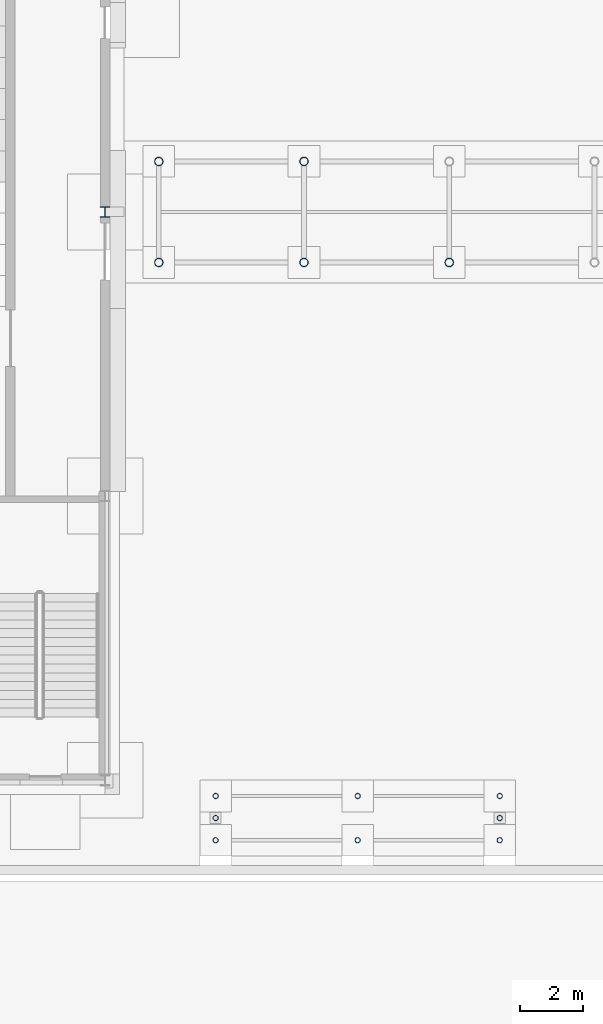
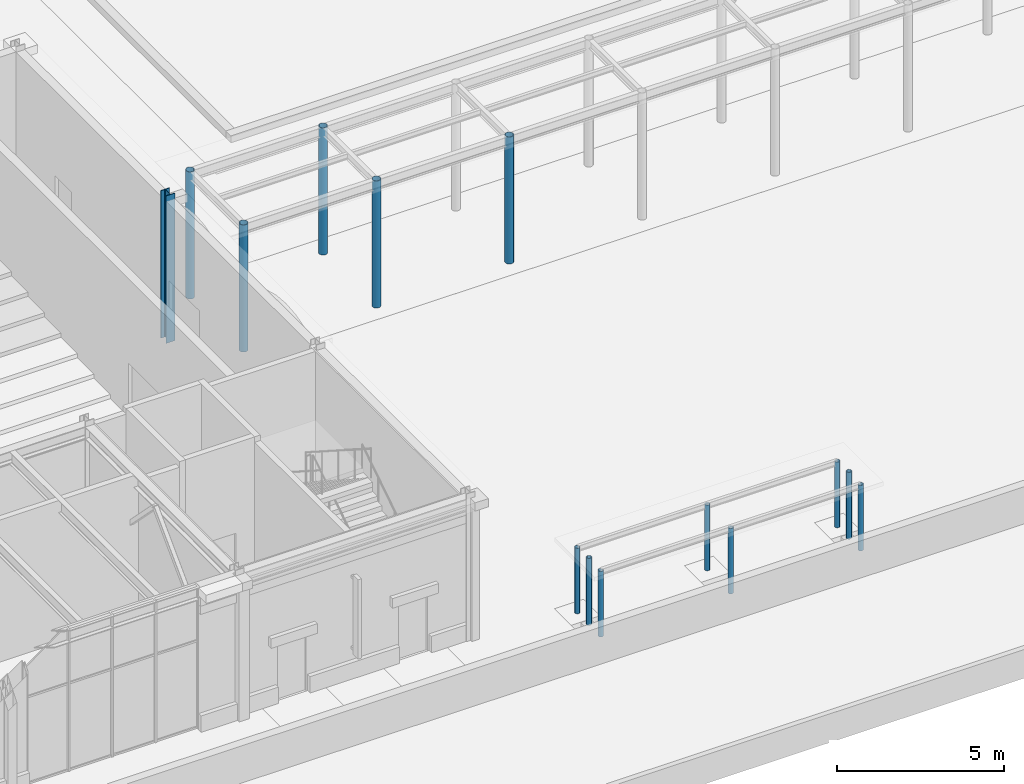
# One storey, part 5 of 126: 14 columns.
"""IFC4 building model written with IfcOpenShell, lengths in metres."""

from ifc_helpers import new_model, si_unit, direction, frame, origin, origin_2d, place, context, subcontext, project, spatial, hollow_circle, i_section, extrude, material, material_profile, profile_set, type_object, element, save


model = new_model("IFC4")

# Units and contexts
model_context = context("Model", 3, precision=1e-05, world=origin(), true_north=direction((0.0, 1.0)))
body_context = subcontext(model_context, "Body", "Model", "MODEL_VIEW")
ifc_project = project(units=[si_unit("LENGTHUNIT", "METRE"), si_unit("AREAUNIT", "SQUARE_METRE"), si_unit("VOLUMEUNIT", "CUBIC_METRE"), si_unit("PLANEANGLEUNIT", "RADIAN"), si_unit("MASSUNIT", "GRAM", prefix="KILO")], contexts=[model_context])

# Site, building, storey
site_placement = place(None, origin())
site = spatial("IfcSite", under=ifc_project, at=site_placement, CompositionType="ELEMENT")
building_placement = place(site_placement, origin())
building = spatial("IfcBuilding", under=site, at=building_placement, Name="Kallimachos Central Library", CompositionType="ELEMENT")
storey_placement = place(building_placement, origin())
storey = spatial("IfcBuildingStorey", under=building, at=storey_placement, Name="L00", CompositionType="ELEMENT", Elevation=0.0)

# Columns
ifc_material_1 = material(Name="Steel S355J2H", Category="steel")
ifc_material_profile_1 = material_profile(ifc_material_1, hollow_circle(Radius=0.084228515625, WallThickness=0.008056640625, at=origin_2d()), Name="CHS 168.3x8")
ifc_profile_set_1 = profile_set([ifc_material_profile_1], Name="Steel S355J2H")
column_type_1 = type_object("IfcColumnType", Name="CHS 168.3x8 column", PredefinedType="COLUMN", material=ifc_profile_set_1)
for number, where, z_axis, x_axis, name in (
    (1, (33.5, 7.10009765625, 0.0), (0.0, 0.0, 1.0), (1.0, 0.0, 0.0), "Cycle shelter column"),
    (2, (38.0, 7.10009765625, 0.0), (0.0, 0.0, 1.0), (1.0, 0.0, 0.0), "Cycle shelter column"),
    (3, (42.5, 7.10009765625, 0.0), (0.0, 0.0, 1.0), (1.0, 0.0, 0.0), "Cycle shelter column"),
    (4, (33.5, 8.5, 0.0), (0.0, 0.0, 1.0), (1.0, 0.0, 0.0), "Cycle shelter column"),
    (5, (38.0, 8.5, 0.0), (0.0, 0.0, 1.0), (1.0, 0.0, 0.0), "Cycle shelter column"),
    (6, (42.5, 8.5, 0.0), (0.0, 0.0, 1.0), (1.0, 0.0, 0.0), "Cycle shelter column"),
):
    element("IfcColumn", number, at=place(storey_placement, frame(where, z_axis=z_axis, x_axis=x_axis)), inside=storey, type_object=column_type_1, Name=name, PredefinedType="COLUMN", context=body_context, shape_type="SweptSolid", body=[
        extrude(hollow_circle(Radius=0.084228515625, WallThickness=0.008056640625, at=origin_2d()), origin(), (0.0, 0.0, 1.0), 2.39990234375),
    ])
for number, where, z_axis, x_axis, name in (
    (7, (33.5, 7.800048828125, 0.0), (0.0, 0.0, 1.0), (1.0, 0.0, 0.0), "Cycle shelter ridge post"),
    (8, (42.5, 7.800048828125, 0.0), (0.0, 0.0, 1.0), (1.0, 0.0, 0.0), "Cycle shelter ridge post"),
):
    element("IfcColumn", number, at=place(storey_placement, frame(where, z_axis=z_axis, x_axis=x_axis)), inside=storey, type_object=column_type_1, Name=name, PredefinedType="COLUMN", context=body_context, shape_type="SweptSolid", body=[
        extrude(hollow_circle(Radius=0.084228515625, WallThickness=0.008056640625, at=origin_2d()), origin(), (0.0, 0.0, 1.0), 2.449951171875),
    ])
ifc_material_2 = material(Name="Steel S355J2H", Category="steel")
ifc_material_profile_2 = material_profile(ifc_material_2, hollow_circle(Radius=0.136474609375, WallThickness=0.012451171875, at=origin_2d()), Name="CHS 273x12.5")
ifc_profile_set_2 = profile_set([ifc_material_profile_2], Name="Steel S355J2H")
column_type_2 = type_object("IfcColumnType", Name="CHS 273x12.5 column", PredefinedType="COLUMN", material=ifc_profile_set_2)
for number, where, z_axis, x_axis, name in (
    (9, (31.699951171875, 25.39990234375, 0.0), (0.0, 0.0, 1.0), (1.0, 0.0, 0.0), "Arcade A3 column"),
    (10, (31.699951171875, 28.60009765625, 0.0), (0.0, 0.0, 1.0), (1.0, 0.0, 0.0), "Arcade A3 column"),
    (11, (36.300048828125, 25.39990234375, 0.0), (0.0, 0.0, 1.0), (1.0, 0.0, 0.0), "Arcade A3 column"),
    (12, (36.300048828125, 28.60009765625, 0.0), (0.0, 0.0, 1.0), (1.0, 0.0, 0.0), "Arcade A3 column"),
    (13, (40.89990234375, 25.39990234375, 0.0), (0.0, 0.0, 1.0), (1.0, 0.0, 0.0), "Arcade A3 column"),
):
    element("IfcColumn", number, at=place(storey_placement, frame(where, z_axis=z_axis, x_axis=x_axis)), inside=storey, type_object=column_type_2, Name=name, PredefinedType="COLUMN", context=body_context, shape_type="SweptSolid", body=[
        extrude(hollow_circle(Radius=0.136474609375, WallThickness=0.012451171875, at=origin_2d()), origin(), (0.0, 0.0, 1.0), 4.64990234375),
    ])
ifc_material_3 = material(Name="Steel S355J2", Category="steel")
ifc_material_profile_3 = material_profile(ifc_material_3, i_section(OverallWidth=0.300048828125, OverallDepth=0.340087890625, WebThickness=0.011962890625, FlangeThickness=0.021484375, FilletRadius=0.027099609375, at=origin_2d()), Name="HEB 340")
ifc_profile_set_3 = profile_set([ifc_material_profile_3], Name="Steel S355J2")
column_type_3 = type_object("IfcColumnType", Name="HEB 340 column", PredefinedType="COLUMN", material=ifc_profile_set_3)
column_placement = place(storey_placement, frame((30.0, 27.0, 0.0), z_axis=(0.0, 0.0, 1.0), x_axis=(1.0, 0.0, 0.0)))
element("IfcColumn", 14, at=column_placement, inside=storey, type_object=column_type_3, Name="V6-COL-L00-014", PredefinedType="COLUMN", context=body_context, shape_type="SweptSolid", body=[
    extrude(i_section(OverallWidth=0.300048828125, OverallDepth=0.340087890625, WebThickness=0.011962890625, FlangeThickness=0.021484375, FilletRadius=0.027099609375, at=origin_2d()), origin(), (0.0, 0.0, 1.0), 5.39990234375),
])

save(model, "model.ifc")
